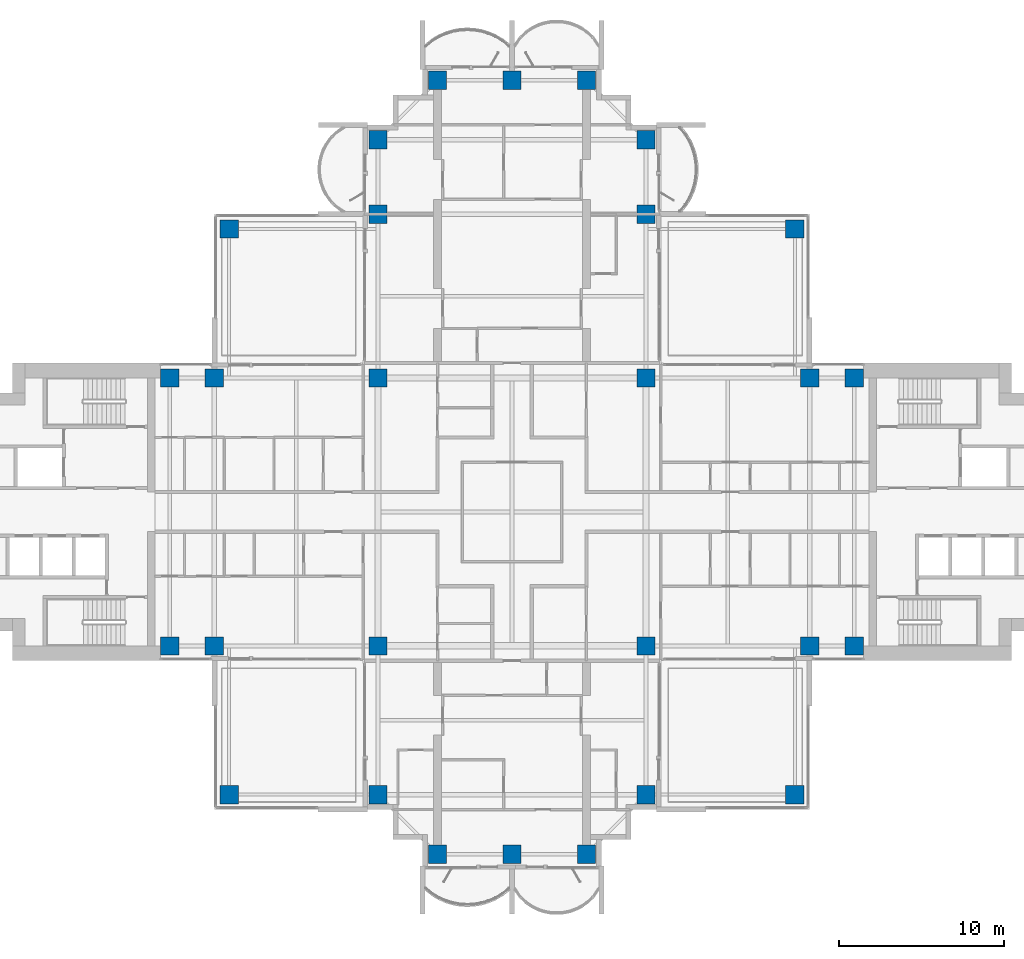
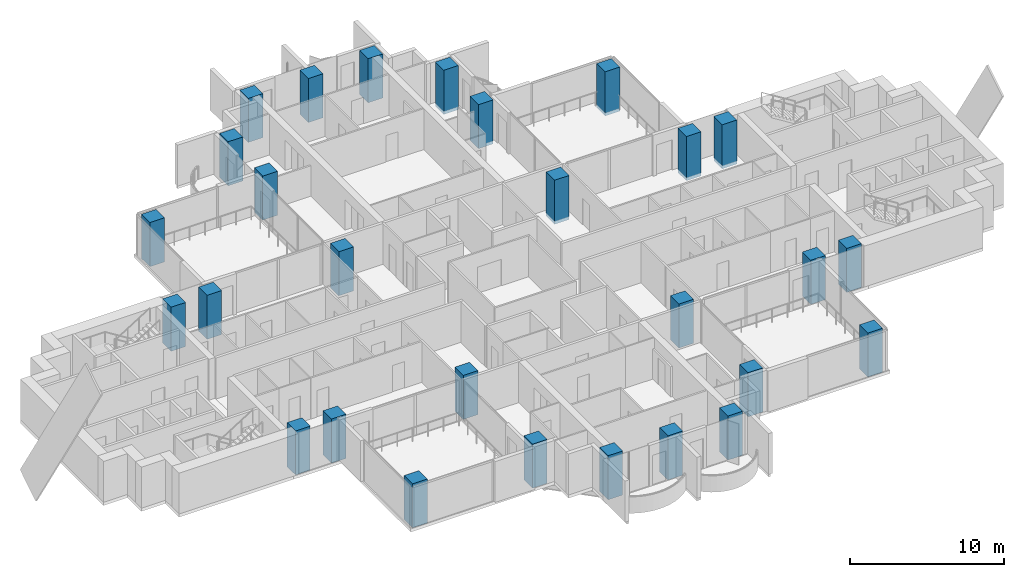
# One storey, part 1 of 18: 28 columns.
"""IFC4 building model written with IfcOpenShell, lengths in metres."""

from ifc_helpers import new_model, si_unit, direction, frame, origin, origin_2d, place, context, subcontext, project, spatial, rectangle, extrude, material, material_profile, profile_set, type_object, element, save


model = new_model("IFC4")

# Units and contexts
model_context = context("Model", 3, precision=1e-05, world=origin(), true_north=direction((0.0, 1.0)))
body_context = subcontext(model_context, "Body", "Model", "MODEL_VIEW")
ifc_project = project(units=[si_unit("LENGTHUNIT", "METRE"), si_unit("AREAUNIT", "SQUARE_METRE"), si_unit("VOLUMEUNIT", "CUBIC_METRE"), si_unit("PLANEANGLEUNIT", "RADIAN"), si_unit("MASSUNIT", "GRAM", prefix="KILO")], contexts=[model_context])

# Site, building, storey
site_placement = place(None, origin())
site = spatial("IfcSite", under=ifc_project, at=site_placement, CompositionType="ELEMENT")
building_placement = place(site_placement, origin())
building = spatial("IfcBuilding", under=site, at=building_placement, Name="Perihelion Cross Residences", CompositionType="ELEMENT")
storey_placement = place(building_placement, frame((0.0, 0.0, 140.89990234375)))
storey = spatial("IfcBuildingStorey", under=building, at=storey_placement, Name="L34", CompositionType="ELEMENT", Elevation=140.89990234375)

# Columns
ifc_material = material(Name="Concrete C60/75", Category="concrete")
ifc_material_profile = material_profile(ifc_material, rectangle(XDim=1.10009765625, YDim=1.10009765625, at=origin_2d()), Name="RC 1100x1100")
ifc_profile_set = profile_set([ifc_material_profile], Name="Concrete C60/75")
column_type = type_object("IfcColumnType", Name="Reinforced concrete column 1100x1100 C60/75", PredefinedType="COLUMN", material=ifc_profile_set)
for number, where, z_axis, x_axis, name in (
    (1, (-20.699951171875, -8.10009765625, -0.25), (0.0, 0.0, 1.0), (1.0, 0.0, 0.0), "Column C017 L34 no. 1"),
    (2, (-20.699951171875, 8.10009765625, -0.25), (0.0, 0.0, 1.0), (1.0, 0.0, 0.0), "Column C010 L34 no. 1"),
    (3, (-18.0, -8.10009765625, -0.25), (0.0, 0.0, 1.0), (1.0, 0.0, 0.0), "Column C018 L34 no. 1"),
    (4, (-18.0, 8.10009765625, -0.25), (0.0, 0.0, 1.0), (1.0, 0.0, 0.0), "Column C011 L34 no. 1"),
    (5, (-8.10009765625, -17.10009765625, -0.25), (0.0, 0.0, 1.0), (1.0, 0.0, 0.0), "Column C031 L34 no. 1"),
    (6, (-8.10009765625, -8.10009765625, -0.25), (0.0, 0.0, 1.0), (1.0, 0.0, 0.0), "Column C019 L34 no. 1"),
    (7, (-8.10009765625, 8.10009765625, -0.25), (0.0, 0.0, 1.0), (1.0, 0.0, 0.0), "Column C012 L34 no. 1"),
    (8, (-8.10009765625, 18.0, -0.25), (0.0, 0.0, 1.0), (1.0, 0.0, 0.0), "Column C006 L34 no. 1"),
    (9, (-8.10009765625, 22.5, -0.25), (0.0, 0.0, 1.0), (1.0, 0.0, 0.0), "Column C004 L34 no. 1"),
    (10, (-4.5, -20.699951171875, -0.25), (0.0, 0.0, 1.0), (1.0, 0.0, 0.0), "Column C037 L34 no. 1"),
    (11, (-4.5, 26.10009765625, -0.25), (0.0, 0.0, 1.0), (1.0, 0.0, 0.0), "Column C001 L34 no. 1"),
    (12, (0.0, -20.699951171875, -0.25), (0.0, 0.0, 1.0), (1.0, 0.0, 0.0), "Column C038 L34 no. 1"),
    (13, (0.0, 26.10009765625, -0.25), (0.0, 0.0, 1.0), (1.0, 0.0, 0.0), "Column C002 L34 no. 1"),
    (14, (4.5, -20.699951171875, -0.25), (0.0, 0.0, 1.0), (1.0, 0.0, 0.0), "Column C039 L34 no. 1"),
    (15, (4.5, 26.10009765625, -0.25), (0.0, 0.0, 1.0), (1.0, 0.0, 0.0), "Column C003 L34 no. 1"),
    (16, (8.10009765625, -17.10009765625, -0.25), (0.0, 0.0, 1.0), (1.0, 0.0, 0.0), "Column C035 L34 no. 1"),
    (17, (8.10009765625, -8.10009765625, -0.25), (0.0, 0.0, 1.0), (1.0, 0.0, 0.0), "Column C020 L34 no. 1"),
    (18, (8.10009765625, 8.10009765625, -0.25), (0.0, 0.0, 1.0), (1.0, 0.0, 0.0), "Column C014 L34 no. 1"),
    (19, (8.10009765625, 18.0, -0.25), (0.0, 0.0, 1.0), (1.0, 0.0, 0.0), "Column C007 L34 no. 1"),
    (20, (8.10009765625, 22.5, -0.25), (0.0, 0.0, 1.0), (1.0, 0.0, 0.0), "Column C005 L34 no. 1"),
    (21, (18.0, -8.10009765625, -0.25), (0.0, 0.0, 1.0), (1.0, 0.0, 0.0), "Column C021 L34 no. 1"),
    (22, (18.0, 8.10009765625, -0.25), (0.0, 0.0, 1.0), (1.0, 0.0, 0.0), "Column C015 L34 no. 1"),
    (23, (20.699951171875, -8.10009765625, -0.25), (0.0, 0.0, 1.0), (1.0, 0.0, 0.0), "Column C022 L34 no. 1"),
    (24, (20.699951171875, 8.10009765625, -0.25), (0.0, 0.0, 1.0), (1.0, 0.0, 0.0), "Column C016 L34 no. 1"),
    (25, (17.10009765625, 17.10009765625, -0.25), (0.0, 0.0, 1.0), (1.0, 0.0, 0.0), "Column C009 L34 no. 1"),
    (26, (-17.10009765625, 17.10009765625, -0.25), (0.0, 0.0, 1.0), (1.0, 0.0, 0.0), "Column C008 L34 no. 1"),
    (27, (-17.10009765625, -17.10009765625, -0.25), (0.0, 0.0, 1.0), (1.0, 0.0, 0.0), "Column C030 L34 no. 1"),
    (28, (17.10009765625, -17.10009765625, -0.25), (0.0, 0.0, 1.0), (1.0, 0.0, 0.0), "Column C036 L34 no. 1"),
):
    element("IfcColumn", number, at=place(storey_placement, frame(where, z_axis=z_axis, x_axis=x_axis)), inside=storey, type_object=column_type, Name=name, PredefinedType="COLUMN", context=body_context, shape_type="SweptSolid", body=[
        extrude(rectangle(XDim=1.10009765625, YDim=1.10009765625, at=origin_2d()), origin(), (0.0, 0.0, 1.0), 3.5),
    ])

save(model, "model.ifc")
